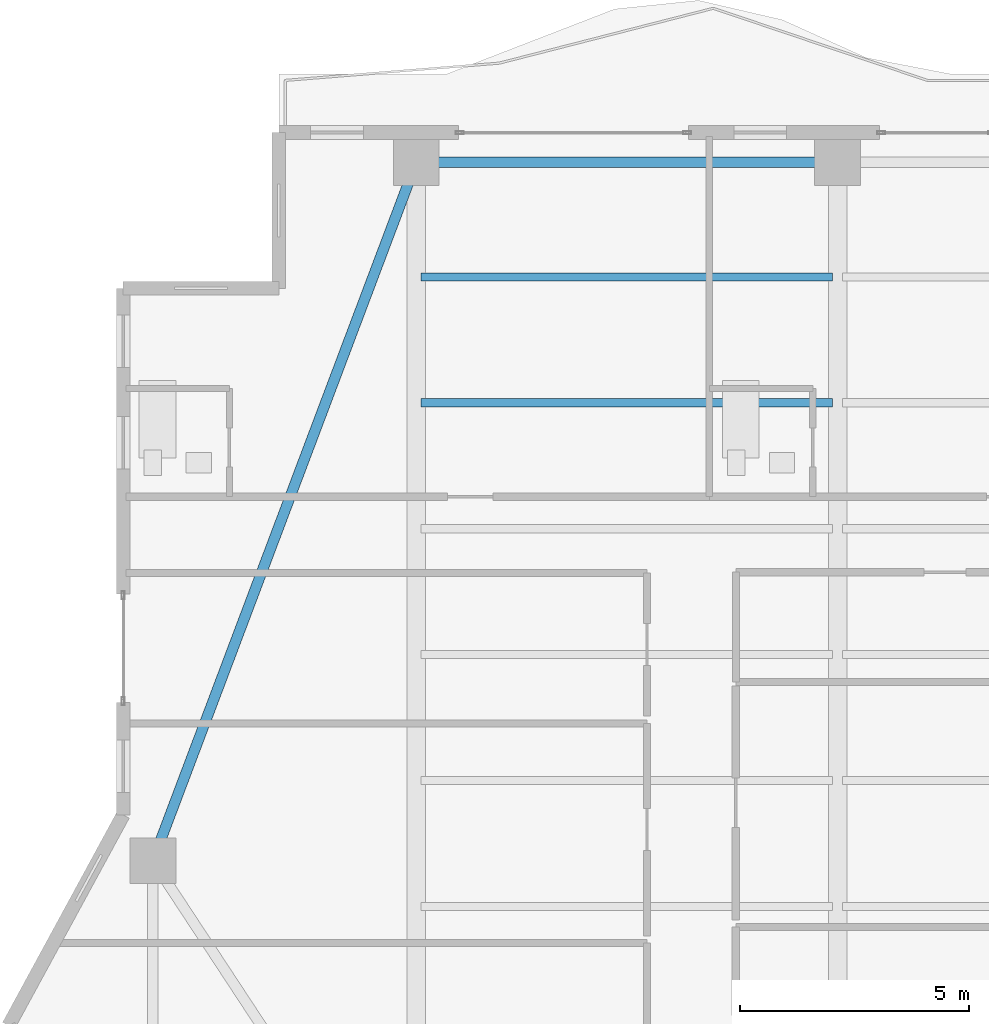
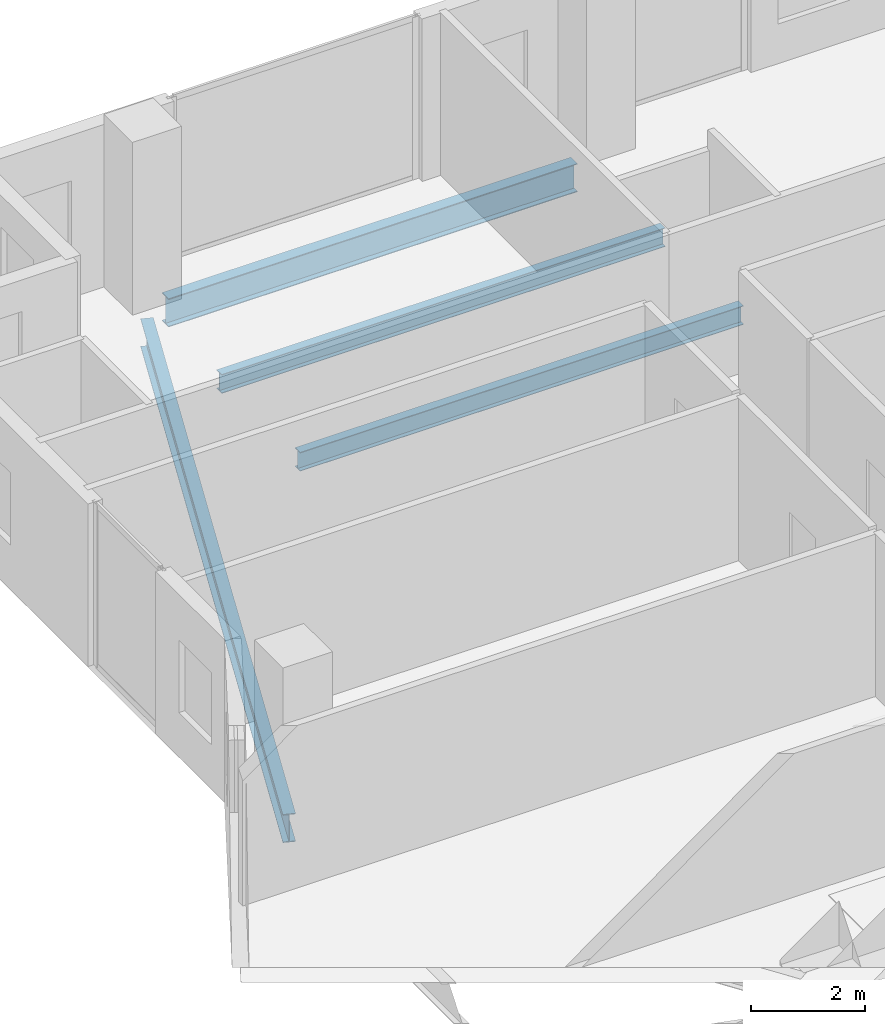
# One storey, part 11 of 23: 4 beams.
"""IFC4 building model written with IfcOpenShell, lengths in metres."""

from ifc_helpers import new_model, si_unit, direction, frame, origin, origin_2d, place, context, subcontext, project, spatial, i_section, extrude, material, material_profile, profile_set, type_object, element, save


model = new_model("IFC4")

# Units and contexts
model_context = context("Model", 3, precision=1e-05, world=origin(), true_north=direction((0.0, 1.0)))
body_context = subcontext(model_context, "Body", "Model", "MODEL_VIEW")
ifc_project = project(units=[si_unit("LENGTHUNIT", "METRE"), si_unit("AREAUNIT", "SQUARE_METRE"), si_unit("VOLUMEUNIT", "CUBIC_METRE"), si_unit("PLANEANGLEUNIT", "RADIAN"), si_unit("MASSUNIT", "GRAM", prefix="KILO")], contexts=[model_context])

# Site, building, storey
site_placement = place(None, origin())
site = spatial("IfcSite", under=ifc_project, at=site_placement, CompositionType="ELEMENT")
building_placement = place(site_placement, origin())
building = spatial("IfcBuilding", under=site, at=building_placement, Name="Zuhayl Quay Hotel", CompositionType="ELEMENT")
storey_placement = place(building_placement, frame((0.0, 0.0, 261.85009765625)))
storey = spatial("IfcBuildingStorey", under=building, at=storey_placement, Name="L66", CompositionType="ELEMENT", Elevation=261.85009765625)

# Beams
ifc_material = material(Name="Steel ASTM A992 Grade 50", Category="steel")
ifc_material_profile_1 = material_profile(ifc_material, i_section(OverallWidth=0.22802734375, OverallDepth=0.60693359375, WebThickness=0.01123046875, FlangeThickness=0.017333984375, at=origin_2d()), Name="W24X76")
ifc_profile_set_1 = profile_set([ifc_material_profile_1], Name="Steel ASTM A992 Grade 50")
beam_type_1 = type_object("IfcBeamType", Name="BM_B3_W24X76", PredefinedType="BEAM", material=ifc_profile_set_1)
beam_1_placement = place(storey_placement, frame((-5.06005859375, 38.35009765625, -0.523681640625), z_axis=(-1.0, 0.0, 0.0), x_axis=(0.0, -1.0, 0.0)))
element("IfcBeam", 1, at=beam_1_placement, inside=storey, type_object=beam_type_1, Name="L66 Floor Beam RG_L66_09", PredefinedType="BEAM", context=body_context, shape_type="SweptSolid", body=[
    extrude(i_section(OverallWidth=0.22802734375, OverallDepth=0.60693359375, WebThickness=0.01123046875, FlangeThickness=0.017333984375, at=origin_2d()), origin(), (0.0, 0.0, 1.0), 8.280029296875),
])
beam_2_placement = place(storey_placement, frame((-13.96240234375, 37.919677734375, -0.523681640625), z_axis=(-0.352796603103, -0.935700035716, 0.0), x_axis=(0.935700035716, -0.352796603103, 0.0)))
element("IfcBeam", 2, at=beam_2_placement, inside=storey, type_object=beam_type_1, Name="L66 Floor Beam RG_L66_10", PredefinedType="BEAM", context=body_context, shape_type="SweptSolid", body=[
    extrude(i_section(OverallWidth=0.22802734375, OverallDepth=0.60693359375, WebThickness=0.01123046875, FlangeThickness=0.017333984375, at=origin_2d()), origin(), (0.0, 0.0, 1.0), 15.3779296875),
])
ifc_material_profile_2 = material_profile(ifc_material, i_section(OverallWidth=0.177978515625, OverallDepth=0.404052734375, WebThickness=0.007568359375, FlangeThickness=0.010986328125, at=origin_2d()), Name="W16X36")
ifc_profile_set_2 = profile_set([ifc_material_profile_2], Name="Steel ASTM A992 Grade 50")
beam_type_2 = type_object("IfcBeamType", Name="BM_J3_W16X36", PredefinedType="JOIST", material=ifc_profile_set_2)
for number, where, z_axis, x_axis, name in (
    (3, (-13.694091796875, 33.10009765625, -0.422119140625), (1.0, 0.0, 0.0), (0.0, 1.0, 0.0), "L66 Floor Beam FJ_L66_7_1"),
    (4, (-13.694091796875, 35.85009765625, -0.422119140625), (1.0, 0.0, 0.0), (0.0, 1.0, 0.0), "L66 Floor Beam FJ_L66_8_1"),
):
    element("IfcBeam", number, at=place(storey_placement, frame(where, z_axis=z_axis, x_axis=x_axis)), inside=storey, type_object=beam_type_2, Name=name, PredefinedType="JOIST", context=body_context, shape_type="SweptSolid", body=[
        extrude(i_section(OverallWidth=0.177978515625, OverallDepth=0.404052734375, WebThickness=0.007568359375, FlangeThickness=0.010986328125, at=origin_2d()), origin(), (0.0, 0.0, 1.0), 8.988037109375),
    ])

save(model, "model.ifc")
